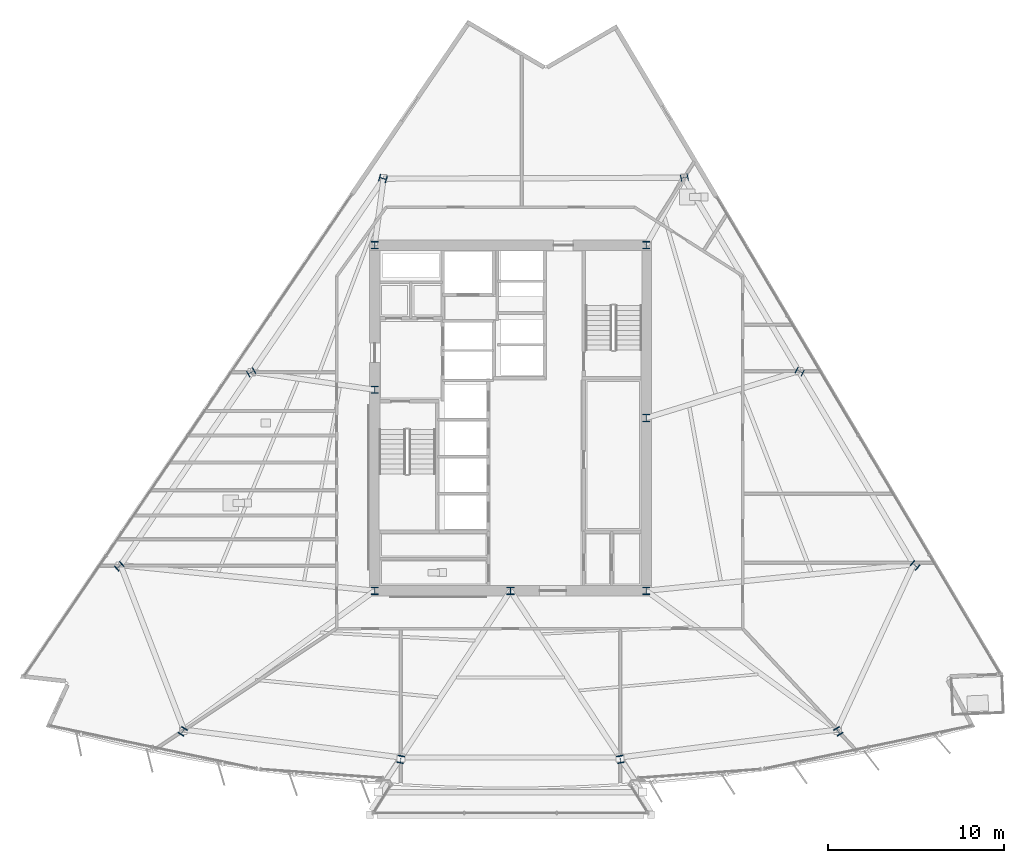
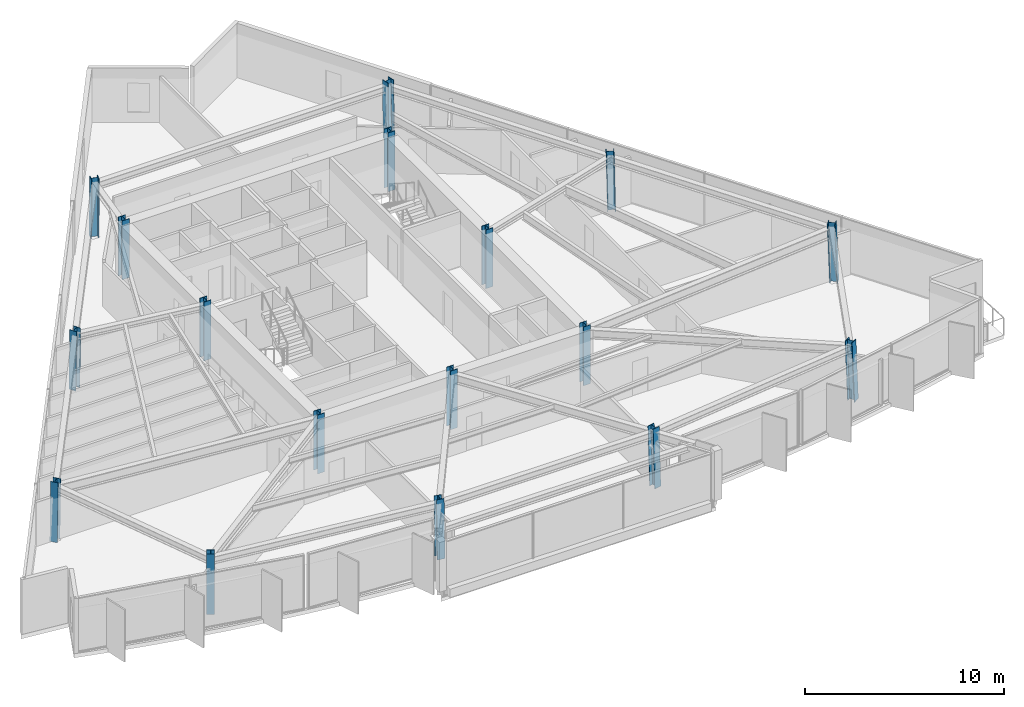
# One storey, part 1 of 15: 17 columns.
"""IFC4 building model written with IfcOpenShell, lengths in metres."""

from ifc_helpers import new_model, si_unit, direction, frame, origin, origin_2d, place, context, subcontext, project, spatial, i_section, extrude, material, material_profile, profile_set, type_object, element, save


model = new_model("IFC4")

# Units and contexts
model_context = context("Model", 3, precision=1e-05, world=origin(), true_north=direction((0.0, 1.0)))
body_context = subcontext(model_context, "Body", "Model", "MODEL_VIEW")
ifc_project = project(units=[si_unit("LENGTHUNIT", "METRE"), si_unit("AREAUNIT", "SQUARE_METRE"), si_unit("VOLUMEUNIT", "CUBIC_METRE"), si_unit("PLANEANGLEUNIT", "RADIAN"), si_unit("MASSUNIT", "GRAM", prefix="KILO")], contexts=[model_context])

# Site, building, storey
site_placement = place(None, origin())
site = spatial("IfcSite", under=ifc_project, at=site_placement, CompositionType="ELEMENT")
building_placement = place(site_placement, origin())
building = spatial("IfcBuilding", under=site, at=building_placement, Name="Savorim Split Tower", CompositionType="ELEMENT")
storey_placement = place(building_placement, frame((0.0, 0.0, 114.89990234375)))
storey = spatial("IfcBuildingStorey", under=building, at=storey_placement, Name="L30", CompositionType="ELEMENT", Elevation=114.89990234375)

# Columns
ifc_material = material(Name="Steel S460", Category="steel")
ifc_material_profile_1 = material_profile(ifc_material, i_section(OverallWidth=0.406005859375, OverallDepth=0.416015625, WebThickness=0.018798828125, FlangeThickness=0.031005859375, FilletRadius=0.014892578125, at=origin_2d()), Name="HD 400x382")
ifc_profile_set_1 = profile_set([ifc_material_profile_1], Name="Steel S460")
column_type_1 = type_object("IfcColumnType", Name="COL-HD-382", PredefinedType="COLUMN", material=ifc_profile_set_1)
column_1_placement = place(storey_placement, frame((-18.60107421875, -17.393798828125, 0.005615234375), z_axis=(0.020596339702, 0.033443561496, 0.99922836178), x_axis=(-0.851480003019, 0.52438707503, 0.0)))
element("IfcColumn", 1, at=column_1_placement, inside=storey, type_object=column_type_1, Name="L30 Tapered Perimeter Column PC-S1", PredefinedType="COLUMN", context=body_context, shape_type="SweptSolid", body=[
    extrude(i_section(OverallWidth=0.406005859375, OverallDepth=0.416015625, WebThickness=0.018798828125, FlangeThickness=0.031005859375, FilletRadius=0.014892578125, at=origin_2d()), origin(), (0.0, 0.0, 1.0), 3.591552734375),
])
for number, where, z_axis, x_axis, name in (
    (2, (-6.234130859375, -18.981689453125, 0.005615234375), (0.006866308162, 0.0352833063, 0.999353762243), (-0.981585848295, 0.191021523464, 0.0), "L30 Tapered Perimeter Column PC-S2"),
    (3, (6.234130859375, -18.981689453125, 0.005615234375), (-0.006866308162, 0.0352833063, 0.999353762243), (-0.981585848295, -0.191021523464, 0.0), "L30 Tapered Perimeter Column PC-S3"),
):
    element("IfcColumn", number, at=place(storey_placement, frame(where, z_axis=z_axis, x_axis=x_axis)), inside=storey, type_object=column_type_1, Name=name, PredefinedType="COLUMN", context=body_context, shape_type="SweptSolid", body=[
        extrude(i_section(OverallWidth=0.406005859375, OverallDepth=0.416015625, WebThickness=0.018798828125, FlangeThickness=0.031005859375, FilletRadius=0.014892578125, at=origin_2d()), origin(), (0.0, 0.0, 1.0), 3.59130859375),
    ])
column_2_placement = place(storey_placement, frame((18.60107421875, -17.393798828125, 0.005615234375), z_axis=(-0.020596339702, 0.033443561496, 0.99922836178), x_axis=(-0.851480003019, -0.52438707503, 0.0)))
element("IfcColumn", 4, at=column_2_placement, inside=storey, type_object=column_type_1, Name="L30 Tapered Perimeter Column PC-S4", PredefinedType="COLUMN", context=body_context, shape_type="SweptSolid", body=[
    extrude(i_section(OverallWidth=0.406005859375, OverallDepth=0.416015625, WebThickness=0.018798828125, FlangeThickness=0.031005859375, FilletRadius=0.014892578125, at=origin_2d()), origin(), (0.0, 0.0, 1.0), 3.591552734375),
])
column_3_placement = place(storey_placement, frame((22.956787109375, -7.976318359375, 0.005615234375), z_axis=(-0.026107436898, 0.021620221181, 0.999425318758), x_axis=(-0.637813971185, -0.770190455771, 0.0)))
element("IfcColumn", 5, at=column_3_placement, inside=storey, type_object=column_type_1, Name="L30 Tapered Perimeter Column PC-E1", PredefinedType="COLUMN", context=body_context, shape_type="SweptSolid", body=[
    extrude(i_section(OverallWidth=0.406005859375, OverallDepth=0.416015625, WebThickness=0.018798828125, FlangeThickness=0.031005859375, FilletRadius=0.014892578125, at=origin_2d()), origin(), (0.0, 0.0, 1.0), 3.5908203125),
])
column_4_placement = place(storey_placement, frame((16.413818359375, 3.027099609375, 0.005615234375), z_axis=(-0.018907326549, 0.00952167524, 0.999775900241), x_axis=(-0.449781931574, -0.893138406984, 0.0)))
element("IfcColumn", 6, at=column_4_placement, inside=storey, type_object=column_type_1, Name="L30 Tapered Perimeter Column PC-E2", PredefinedType="COLUMN", context=body_context, shape_type="SweptSolid", body=[
    extrude(i_section(OverallWidth=0.406005859375, OverallDepth=0.416015625, WebThickness=0.018798828125, FlangeThickness=0.031005859375, FilletRadius=0.014892578125, at=origin_2d()), origin(), (0.0, 0.0, 1.0), 3.589599609375),
])
for number, where, z_axis, x_axis, name in (
    (7, (9.870849609375, 14.030517578125, 0.005615234375), (-0.011699842352, -0.002516826552, 0.999928387072), (0.210305364179, -0.977635746993, 0.0), "L30 Tapered Perimeter Column PC-E3"),
    (8, (-7.2314453125, 13.981689453125, 0.005615234375), (0.008843163607, -0.002516900411, 0.999957730942), (0.273743828055, 0.961802639112, 0.0), "L30 Tapered Perimeter Column PC-W1"),
):
    element("IfcColumn", number, at=place(storey_placement, frame(where, z_axis=z_axis, x_axis=x_axis)), inside=storey, type_object=column_type_1, Name=name, PredefinedType="COLUMN", context=body_context, shape_type="SweptSolid", body=[
        extrude(i_section(OverallWidth=0.406005859375, OverallDepth=0.416015625, WebThickness=0.018798828125, FlangeThickness=0.031005859375, FilletRadius=0.014892578125, at=origin_2d()), origin(), (0.0, 0.0, 1.0), 3.589111328125),
    ])
column_5_placement = place(storey_placement, frame((-14.716796875, 2.978271484375, 0.005615234375), z_axis=(0.017003561856, 0.009590008887, 0.99980943715), x_axis=(-0.491253415567, 0.871016694268, 0.0)))
element("IfcColumn", 9, at=column_5_placement, inside=storey, type_object=column_type_1, Name="L30 Tapered Perimeter Column PC-W2", PredefinedType="COLUMN", context=body_context, shape_type="SweptSolid", body=[
    extrude(i_section(OverallWidth=0.406005859375, OverallDepth=0.416015625, WebThickness=0.018798828125, FlangeThickness=0.031005859375, FilletRadius=0.014892578125, at=origin_2d()), origin(), (0.0, 0.0, 1.0), 3.589599609375),
])
column_6_placement = place(storey_placement, frame((-22.202392578125, -8.025146484375, 0.005615234375), z_axis=(0.025224163578, 0.021620711639, 0.999447990843), x_axis=(-0.650791373456, 0.759256602365, 0.0)))
element("IfcColumn", 10, at=column_6_placement, inside=storey, type_object=column_type_1, Name="L30 Tapered Perimeter Column PC-W3", PredefinedType="COLUMN", context=body_context, shape_type="SweptSolid", body=[
    extrude(i_section(OverallWidth=0.406005859375, OverallDepth=0.416015625, WebThickness=0.018798828125, FlangeThickness=0.031005859375, FilletRadius=0.014892578125, at=origin_2d()), origin(), (0.0, 0.0, 1.0), 3.5908203125),
])
ifc_material_profile_2 = material_profile(ifc_material, i_section(OverallWidth=0.408935546875, OverallDepth=0.425048828125, WebThickness=0.020751953125, FlangeThickness=0.033935546875, FilletRadius=0.014892578125, at=origin_2d()), Name="HD 400x421")
ifc_profile_set_2 = profile_set([ifc_material_profile_2], Name="Steel S460")
column_type_2 = type_object("IfcColumnType", Name="COL-HD-421", PredefinedType="COLUMN", material=ifc_profile_set_2)
for number, where, z_axis, x_axis, name in (
    (11, (-7.699951171875, -9.39990234375, 0.0), (0.0, 0.0, 1.0), (1.0, 0.0, 0.0), "L30 Core Structural Column TC-C1"),
    (12, (7.699951171875, -9.39990234375, 0.0), (0.0, 0.0, 1.0), (1.0, 0.0, 0.0), "L30 Core Structural Column TC-C2"),
    (13, (7.699951171875, 10.199951171875, 0.0), (0.0, 0.0, 1.0), (1.0, 0.0, 0.0), "L30 Core Structural Column TC-C3"),
    (14, (-7.699951171875, 10.199951171875, 0.0), (0.0, 0.0, 1.0), (1.0, 0.0, 0.0), "L30 Core Structural Column TC-C4"),
    (15, (0.0, -9.39990234375, 0.0), (0.0, 0.0, 1.0), (1.0, 0.0, 0.0), "L30 Core Structural Column TC-C5"),
    (16, (7.699951171875, 0.39990234375, 0.0), (0.0, 0.0, 1.0), (1.0, 0.0, 0.0), "L30 Core Structural Column TC-C6"),
    (17, (-7.699951171875, 2.0, 0.0), (0.0, 0.0, 1.0), (1.0, 0.0, 0.0), "L30 Core Structural Column TC-C7"),
):
    element("IfcColumn", number, at=place(storey_placement, frame(where, z_axis=z_axis, x_axis=x_axis)), inside=storey, type_object=column_type_2, Name=name, PredefinedType="COLUMN", context=body_context, shape_type="SweptSolid", body=[
        extrude(i_section(OverallWidth=0.408935546875, OverallDepth=0.425048828125, WebThickness=0.020751953125, FlangeThickness=0.033935546875, FilletRadius=0.014892578125, at=origin_2d()), origin(), (0.0, 0.0, 1.0), 3.60009765625),
    ])

save(model, "model.ifc")
